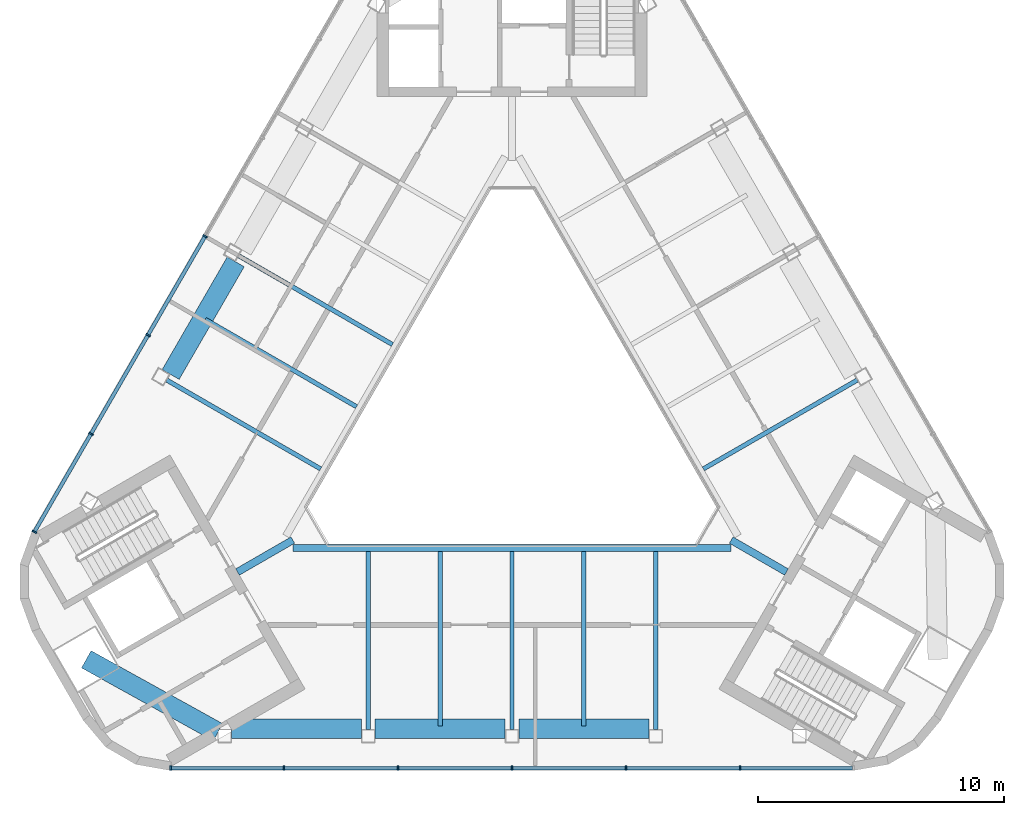
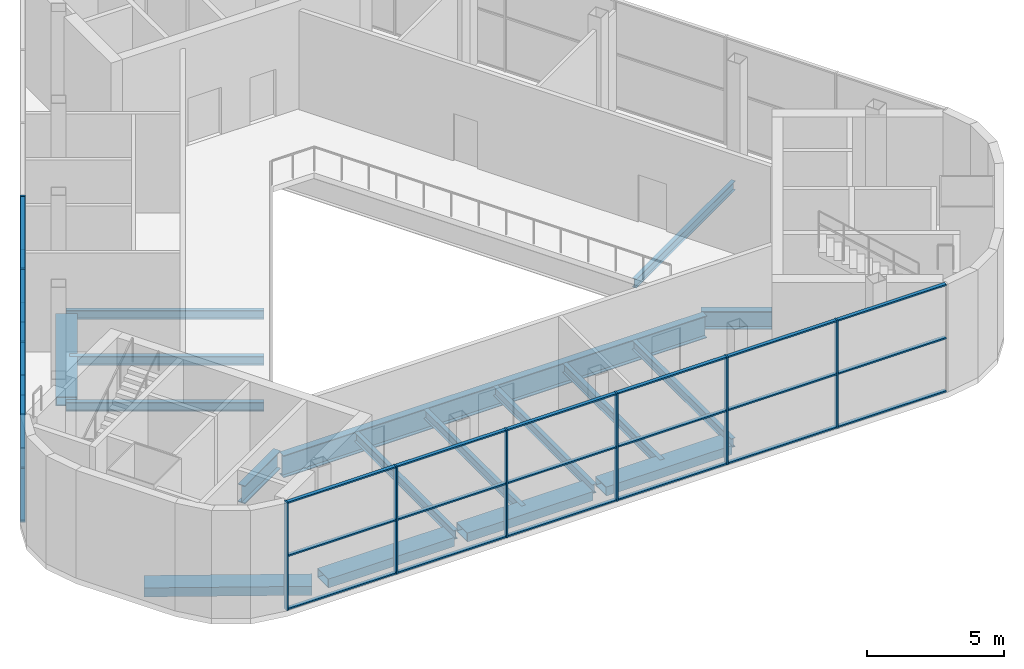
# One storey, part 2 of 11: 37 members, 17 beams, 2 elements without a shape of their own.
"""IFC4 building model written with IfcOpenShell, lengths in metres."""

from ifc_helpers import new_model, si_unit, direction, frame, origin, origin_2d, place, context, subcontext, project, spatial, rectangle, hollow_rectangle, i_section, extrude, material, layer, layer_set, material_profile, profile_set, type_object, element, aggregate, save


model = new_model("IFC4")

# Units and contexts
model_context = context("Model", 3, precision=1e-05, world=origin(), true_north=direction((0.0, 1.0)))
body_context = subcontext(model_context, "Body", "Model", "MODEL_VIEW")
ifc_project = project(units=[si_unit("LENGTHUNIT", "METRE"), si_unit("AREAUNIT", "SQUARE_METRE"), si_unit("VOLUMEUNIT", "CUBIC_METRE"), si_unit("PLANEANGLEUNIT", "RADIAN"), si_unit("MASSUNIT", "GRAM", prefix="KILO")], contexts=[model_context])

# Site, building, storey
site_placement = place(None, origin())
site = spatial("IfcSite", under=ifc_project, at=site_placement, CompositionType="ELEMENT")
building_placement = place(site_placement, origin())
building = spatial("IfcBuilding", under=site, at=building_placement, Name="Apuvela Tower Hotel", CompositionType="ELEMENT")
storey_placement = place(building_placement, frame((0.0, 0.0, 338.300048828125)))
storey = spatial("IfcBuildingStorey", under=building, at=storey_placement, Name="L84", CompositionType="ELEMENT", Elevation=338.300048828125)

# Curtain wall, members
ifc_material_1 = material(Name="Aluminium 6063-T6, dark bronze anodised", Category="aluminium")
ifc_layer = layer(ifc_material_1, 0.199951171875)
ifc_layer_set = layer_set([ifc_layer], Name="ENV-CW-L")
curtain_wall_type = type_object("IfcCurtainWallType", Name="ENV-CW-L", PredefinedType="NOTDEFINED", material=ifc_layer_set)
curtain_wall_1_placement = place(storey_placement, origin())
curtain_wall_1 = element("IfcCurtainWall", 1, at=curtain_wall_1_placement, inside=storey, type_object=curtain_wall_type, Name="Curtain wall CW-L S L84", PredefinedType="NOTDEFINED")
ifc_material_profile_1 = material_profile(ifc_material_1, rectangle(XDim=0.199951171875, YDim=0.06494140625, at=origin_2d()), Name="AL 65x200")
ifc_profile_set_1 = profile_set([ifc_material_profile_1], Name="Aluminium 6063-T6, dark bronze anodised")
member_type_1 = type_object("IfcMemberType", Name="ENV-MULLION-65x200", PredefinedType="MULLION", material=ifc_profile_set_1)
member_1_placement = place(storey_placement, frame((-13.89111328125, -14.42626953125, 0.0), z_axis=(0.0, 0.0, 1.0), x_axis=(0.0, 1.0, 0.0)))
member_1 = element("IfcMember", 2, at=member_1_placement, type_object=member_type_1, Name="CW-L mullion 1", PredefinedType="MULLION", context=body_context, shape_type="SweptSolid", body=[
    extrude(rectangle(XDim=0.199951171875, YDim=0.06494140625, at=origin_2d()), origin(), (0.0, 0.0, 1.0), 4.800048828125),
])
member_2_placement = place(storey_placement, frame((-9.282470703125, -14.42626953125, 0.0), z_axis=(0.0, 0.0, 1.0), x_axis=(0.0, 1.0, 0.0)))
member_2 = element("IfcMember", 3, at=member_2_placement, type_object=member_type_1, Name="CW-L mullion 2", PredefinedType="MULLION", context=body_context, shape_type="SweptSolid", body=[
    extrude(rectangle(XDim=0.199951171875, YDim=0.06494140625, at=origin_2d()), origin(), (0.0, 0.0, 1.0), 4.800048828125),
])
member_3_placement = place(storey_placement, frame((-4.64111328125, -14.42626953125, 0.0), z_axis=(0.0, 0.0, 1.0), x_axis=(0.0, 1.0, 0.0)))
member_3 = element("IfcMember", 4, at=member_3_placement, type_object=member_type_1, Name="CW-L mullion 3", PredefinedType="MULLION", context=body_context, shape_type="SweptSolid", body=[
    extrude(rectangle(XDim=0.199951171875, YDim=0.06494140625, at=origin_2d()), origin(), (0.0, 0.0, 1.0), 4.800048828125),
])
member_4_placement = place(storey_placement, frame((0.0, -14.42626953125, 0.0), z_axis=(0.0, 0.0, 1.0), x_axis=(0.0, 1.0, 0.0)))
member_4 = element("IfcMember", 5, at=member_4_placement, type_object=member_type_1, Name="CW-L mullion 4", PredefinedType="MULLION", context=body_context, shape_type="SweptSolid", body=[
    extrude(rectangle(XDim=0.199951171875, YDim=0.06494140625, at=origin_2d()), origin(), (0.0, 0.0, 1.0), 4.800048828125),
])
member_5_placement = place(storey_placement, frame((4.64111328125, -14.42626953125, 0.0), z_axis=(0.0, 0.0, 1.0), x_axis=(0.0, 1.0, 0.0)))
member_5 = element("IfcMember", 6, at=member_5_placement, type_object=member_type_1, Name="CW-L mullion 5", PredefinedType="MULLION", context=body_context, shape_type="SweptSolid", body=[
    extrude(rectangle(XDim=0.199951171875, YDim=0.06494140625, at=origin_2d()), origin(), (0.0, 0.0, 1.0), 4.800048828125),
])
member_6_placement = place(storey_placement, frame((9.282470703125, -14.42626953125, 0.0), z_axis=(0.0, 0.0, 1.0), x_axis=(0.0, 1.0, 0.0)))
member_6 = element("IfcMember", 7, at=member_6_placement, type_object=member_type_1, Name="CW-L mullion 6", PredefinedType="MULLION", context=body_context, shape_type="SweptSolid", body=[
    extrude(rectangle(XDim=0.199951171875, YDim=0.06494140625, at=origin_2d()), origin(), (0.0, 0.0, 1.0), 4.800048828125),
])

curtain_wall_2_placement = place(storey_placement, origin())
curtain_wall_2 = element("IfcCurtainWall", 8, at=curtain_wall_2_placement, inside=storey, type_object=curtain_wall_type, Name="Curtain wall CW-L NW L84", PredefinedType="NOTDEFINED")
member_7_placement = place(storey_placement, frame((-12.493408203125, 7.213134765625, 0.0), z_axis=(0.0, 0.0, 1.0), x_axis=(0.866025800323, -0.499999313174, 0.0)))
member_7 = element("IfcMember", 9, at=member_7_placement, type_object=member_type_1, Name="CW-L mullion 4", PredefinedType="MULLION", context=body_context, shape_type="SweptSolid", body=[
    extrude(rectangle(XDim=0.199951171875, YDim=0.06494140625, at=origin_2d()), origin(), (0.0, 0.0, 1.0), 4.800048828125),
])
member_8_placement = place(storey_placement, frame((-14.81396484375, 3.193603515625, 0.0), z_axis=(0.0, 0.0, 1.0), x_axis=(0.866025800323, -0.499999313174, 0.0)))
member_8 = element("IfcMember", 10, at=member_8_placement, type_object=member_type_1, Name="CW-L mullion 5", PredefinedType="MULLION", context=body_context, shape_type="SweptSolid", body=[
    extrude(rectangle(XDim=0.199951171875, YDim=0.06494140625, at=origin_2d()), origin(), (0.0, 0.0, 1.0), 4.800048828125),
])
member_9_placement = place(storey_placement, frame((-17.134765625, -0.82568359375, 0.0), z_axis=(0.0, 0.0, 1.0), x_axis=(0.866025800323, -0.499999313174, 0.0)))
member_9 = element("IfcMember", 11, at=member_9_placement, type_object=member_type_1, Name="CW-L mullion 6", PredefinedType="MULLION", context=body_context, shape_type="SweptSolid", body=[
    extrude(rectangle(XDim=0.199951171875, YDim=0.06494140625, at=origin_2d()), origin(), (0.0, 0.0, 1.0), 4.800048828125),
])
member_10_placement = place(storey_placement, frame((-19.43896484375, -4.817138671875, 0.0), z_axis=(0.0, 0.0, 1.0), x_axis=(0.866025800323, -0.499999313174, 0.0)))
member_10 = element("IfcMember", 12, at=member_10_placement, type_object=member_type_1, Name="CW-L mullion 7", PredefinedType="MULLION", context=body_context, shape_type="SweptSolid", body=[
    extrude(rectangle(XDim=0.199951171875, YDim=0.06494140625, at=origin_2d()), origin(), (0.0, 0.0, 1.0), 4.800048828125),
])

# Member
ifc_material_profile_2 = material_profile(ifc_material_1, rectangle(XDim=0.14990234375, YDim=0.06494140625, at=origin_2d()), Name="AL 65x150 transom")
ifc_profile_set_2 = profile_set([ifc_material_profile_2], Name="Aluminium 6063-T6, dark bronze anodised")
member_type_2 = type_object("IfcMemberType", Name="ENV-TRANSOM-65x150", PredefinedType="USERDEFINED", material=ifc_profile_set_2)
member_11_placement = place(storey_placement, frame((-13.858642578125, -14.42626953125, 0.032470703125), z_axis=(1.0, 0.0, 0.0), x_axis=(0.0, 1.0, 0.0)))
member_11 = element("IfcMember", 13, at=member_11_placement, type_object=member_type_2, Name="CW-L transom 1.1", ObjectType="TRANSOM", PredefinedType="USERDEFINED", context=body_context, shape_type="SweptSolid", body=[
    extrude(rectangle(XDim=0.14990234375, YDim=0.06494140625, at=origin_2d()), origin(), (0.0, 0.0, 1.0), 4.543701171875),
])

member_12_placement = place(storey_placement, frame((-13.858642578125, -14.42626953125, 2.39990234375), z_axis=(1.0, 0.0, 0.0), x_axis=(0.0, 1.0, 0.0)))
member_12 = element("IfcMember", 14, at=member_12_placement, type_object=member_type_2, Name="CW-L transom 1.2", ObjectType="TRANSOM", PredefinedType="USERDEFINED", context=body_context, shape_type="SweptSolid", body=[
    extrude(rectangle(XDim=0.14990234375, YDim=0.06494140625, at=origin_2d()), origin(), (0.0, 0.0, 1.0), 4.543701171875),
])

member_13_placement = place(storey_placement, frame((-13.858642578125, -14.42626953125, 4.767333984375), z_axis=(1.0, 0.0, 0.0), x_axis=(0.0, 1.0, 0.0)))
member_13 = element("IfcMember", 15, at=member_13_placement, type_object=member_type_2, Name="CW-L transom 1.3", ObjectType="TRANSOM", PredefinedType="USERDEFINED", context=body_context, shape_type="SweptSolid", body=[
    extrude(rectangle(XDim=0.14990234375, YDim=0.06494140625, at=origin_2d()), origin(), (0.0, 0.0, 1.0), 4.543701171875),
])

member_14_placement = place(storey_placement, frame((-9.25, -14.42626953125, 0.032470703125), z_axis=(1.0, 0.0, 0.0), x_axis=(0.0, 1.0, 0.0)))
member_14 = element("IfcMember", 16, at=member_14_placement, type_object=member_type_2, Name="CW-L transom 2.1", ObjectType="TRANSOM", PredefinedType="USERDEFINED", context=body_context, shape_type="SweptSolid", body=[
    extrude(rectangle(XDim=0.14990234375, YDim=0.06494140625, at=origin_2d()), origin(), (0.0, 0.0, 1.0), 4.576171875),
])

member_15_placement = place(storey_placement, frame((-9.25, -14.42626953125, 2.39990234375), z_axis=(1.0, 0.0, 0.0), x_axis=(0.0, 1.0, 0.0)))
member_15 = element("IfcMember", 17, at=member_15_placement, type_object=member_type_2, Name="CW-L transom 2.2", ObjectType="TRANSOM", PredefinedType="USERDEFINED", context=body_context, shape_type="SweptSolid", body=[
    extrude(rectangle(XDim=0.14990234375, YDim=0.06494140625, at=origin_2d()), origin(), (0.0, 0.0, 1.0), 4.576171875),
])

member_16_placement = place(storey_placement, frame((-9.25, -14.42626953125, 4.767333984375), z_axis=(1.0, 0.0, 0.0), x_axis=(0.0, 1.0, 0.0)))
member_16 = element("IfcMember", 18, at=member_16_placement, type_object=member_type_2, Name="CW-L transom 2.3", ObjectType="TRANSOM", PredefinedType="USERDEFINED", context=body_context, shape_type="SweptSolid", body=[
    extrude(rectangle(XDim=0.14990234375, YDim=0.06494140625, at=origin_2d()), origin(), (0.0, 0.0, 1.0), 4.576171875),
])

member_17_placement = place(storey_placement, frame((-4.608642578125, -14.42626953125, 0.032470703125), z_axis=(1.0, 0.0, 0.0), x_axis=(0.0, 1.0, 0.0)))
member_17 = element("IfcMember", 19, at=member_17_placement, type_object=member_type_2, Name="CW-L transom 3.1", ObjectType="TRANSOM", PredefinedType="USERDEFINED", context=body_context, shape_type="SweptSolid", body=[
    extrude(rectangle(XDim=0.14990234375, YDim=0.06494140625, at=origin_2d()), origin(), (0.0, 0.0, 1.0), 4.576171875),
])

member_18_placement = place(storey_placement, frame((-4.608642578125, -14.42626953125, 2.39990234375), z_axis=(1.0, 0.0, 0.0), x_axis=(0.0, 1.0, 0.0)))
member_18 = element("IfcMember", 20, at=member_18_placement, type_object=member_type_2, Name="CW-L transom 3.2", ObjectType="TRANSOM", PredefinedType="USERDEFINED", context=body_context, shape_type="SweptSolid", body=[
    extrude(rectangle(XDim=0.14990234375, YDim=0.06494140625, at=origin_2d()), origin(), (0.0, 0.0, 1.0), 4.576171875),
])

member_19_placement = place(storey_placement, frame((-4.608642578125, -14.42626953125, 4.767333984375), z_axis=(1.0, 0.0, 0.0), x_axis=(0.0, 1.0, 0.0)))
member_19 = element("IfcMember", 21, at=member_19_placement, type_object=member_type_2, Name="CW-L transom 3.3", ObjectType="TRANSOM", PredefinedType="USERDEFINED", context=body_context, shape_type="SweptSolid", body=[
    extrude(rectangle(XDim=0.14990234375, YDim=0.06494140625, at=origin_2d()), origin(), (0.0, 0.0, 1.0), 4.576171875),
])

member_20_placement = place(storey_placement, frame((0.032470703125, -14.42626953125, 0.032470703125), z_axis=(1.0, 0.0, 0.0), x_axis=(0.0, 1.0, 0.0)))
member_20 = element("IfcMember", 22, at=member_20_placement, type_object=member_type_2, Name="CW-L transom 4.1", ObjectType="TRANSOM", PredefinedType="USERDEFINED", context=body_context, shape_type="SweptSolid", body=[
    extrude(rectangle(XDim=0.14990234375, YDim=0.06494140625, at=origin_2d()), origin(), (0.0, 0.0, 1.0), 4.576171875),
])

member_21_placement = place(storey_placement, frame((0.032470703125, -14.42626953125, 2.39990234375), z_axis=(1.0, 0.0, 0.0), x_axis=(0.0, 1.0, 0.0)))
member_21 = element("IfcMember", 23, at=member_21_placement, type_object=member_type_2, Name="CW-L transom 4.2", ObjectType="TRANSOM", PredefinedType="USERDEFINED", context=body_context, shape_type="SweptSolid", body=[
    extrude(rectangle(XDim=0.14990234375, YDim=0.06494140625, at=origin_2d()), origin(), (0.0, 0.0, 1.0), 4.576171875),
])

member_22_placement = place(storey_placement, frame((0.032470703125, -14.42626953125, 4.767333984375), z_axis=(1.0, 0.0, 0.0), x_axis=(0.0, 1.0, 0.0)))
member_22 = element("IfcMember", 24, at=member_22_placement, type_object=member_type_2, Name="CW-L transom 4.3", ObjectType="TRANSOM", PredefinedType="USERDEFINED", context=body_context, shape_type="SweptSolid", body=[
    extrude(rectangle(XDim=0.14990234375, YDim=0.06494140625, at=origin_2d()), origin(), (0.0, 0.0, 1.0), 4.576171875),
])

member_23_placement = place(storey_placement, frame((4.673828125, -14.42626953125, 0.032470703125), z_axis=(1.0, 0.0, 0.0), x_axis=(0.0, 1.0, 0.0)))
member_23 = element("IfcMember", 25, at=member_23_placement, type_object=member_type_2, Name="CW-L transom 5.1", ObjectType="TRANSOM", PredefinedType="USERDEFINED", context=body_context, shape_type="SweptSolid", body=[
    extrude(rectangle(XDim=0.14990234375, YDim=0.06494140625, at=origin_2d()), origin(), (0.0, 0.0, 1.0), 4.576171875),
])

member_24_placement = place(storey_placement, frame((4.673828125, -14.42626953125, 2.39990234375), z_axis=(1.0, 0.0, 0.0), x_axis=(0.0, 1.0, 0.0)))
member_24 = element("IfcMember", 26, at=member_24_placement, type_object=member_type_2, Name="CW-L transom 5.2", ObjectType="TRANSOM", PredefinedType="USERDEFINED", context=body_context, shape_type="SweptSolid", body=[
    extrude(rectangle(XDim=0.14990234375, YDim=0.06494140625, at=origin_2d()), origin(), (0.0, 0.0, 1.0), 4.576171875),
])

member_25_placement = place(storey_placement, frame((4.673828125, -14.42626953125, 4.767333984375), z_axis=(1.0, 0.0, 0.0), x_axis=(0.0, 1.0, 0.0)))
member_25 = element("IfcMember", 27, at=member_25_placement, type_object=member_type_2, Name="CW-L transom 5.3", ObjectType="TRANSOM", PredefinedType="USERDEFINED", context=body_context, shape_type="SweptSolid", body=[
    extrude(rectangle(XDim=0.14990234375, YDim=0.06494140625, at=origin_2d()), origin(), (0.0, 0.0, 1.0), 4.576171875),
])

member_26_placement = place(storey_placement, frame((9.31494140625, -14.42626953125, 0.032470703125), z_axis=(1.0, 0.0, 0.0), x_axis=(0.0, 1.0, 0.0)))
member_26 = element("IfcMember", 28, at=member_26_placement, type_object=member_type_2, Name="CW-L transom 6.1", ObjectType="TRANSOM", PredefinedType="USERDEFINED", context=body_context, shape_type="SweptSolid", body=[
    extrude(rectangle(XDim=0.14990234375, YDim=0.06494140625, at=origin_2d()), origin(), (0.0, 0.0, 1.0), 4.543701171875),
])

member_27_placement = place(storey_placement, frame((9.31494140625, -14.42626953125, 2.39990234375), z_axis=(1.0, 0.0, 0.0), x_axis=(0.0, 1.0, 0.0)))
member_27 = element("IfcMember", 29, at=member_27_placement, type_object=member_type_2, Name="CW-L transom 6.2", ObjectType="TRANSOM", PredefinedType="USERDEFINED", context=body_context, shape_type="SweptSolid", body=[
    extrude(rectangle(XDim=0.14990234375, YDim=0.06494140625, at=origin_2d()), origin(), (0.0, 0.0, 1.0), 4.543701171875),
])

member_28_placement = place(storey_placement, frame((9.31494140625, -14.42626953125, 4.767333984375), z_axis=(1.0, 0.0, 0.0), x_axis=(0.0, 1.0, 0.0)))
member_28 = element("IfcMember", 30, at=member_28_placement, type_object=member_type_2, Name="CW-L transom 6.3", ObjectType="TRANSOM", PredefinedType="USERDEFINED", context=body_context, shape_type="SweptSolid", body=[
    extrude(rectangle(XDim=0.14990234375, YDim=0.06494140625, at=origin_2d()), origin(), (0.0, 0.0, 1.0), 4.543701171875),
])

aggregate(curtain_wall_1, [member_1, member_2, member_3, member_4, member_5, member_6, member_11, member_12, member_13, member_14, member_15, member_16, member_17, member_18, member_19, member_20, member_21, member_22, member_23, member_24, member_25, member_26, member_27, member_28])

member_29_placement = place(storey_placement, frame((-12.509765625, 7.18505859375, 0.032470703125), z_axis=(-0.499994921628, -0.866028335764, 0.0), x_axis=(0.866028335764, -0.499994921628, 0.0)))
member_29 = element("IfcMember", 31, at=member_29_placement, type_object=member_type_2, Name="CW-L transom 4.1", ObjectType="TRANSOM", PredefinedType="USERDEFINED", context=body_context, shape_type="SweptSolid", body=[
    extrude(rectangle(XDim=0.14990234375, YDim=0.06494140625, at=origin_2d()), origin(), (0.0, 0.0, 1.0), 4.576171875),
])

member_30_placement = place(storey_placement, frame((-12.509765625, 7.18505859375, 2.39990234375), z_axis=(-0.499994921628, -0.866028335764, 0.0), x_axis=(0.866028335764, -0.499994921628, 0.0)))
member_30 = element("IfcMember", 32, at=member_30_placement, type_object=member_type_2, Name="CW-L transom 4.2", ObjectType="TRANSOM", PredefinedType="USERDEFINED", context=body_context, shape_type="SweptSolid", body=[
    extrude(rectangle(XDim=0.14990234375, YDim=0.06494140625, at=origin_2d()), origin(), (0.0, 0.0, 1.0), 4.576171875),
])

member_31_placement = place(storey_placement, frame((-12.509765625, 7.18505859375, 4.767333984375), z_axis=(-0.499994921628, -0.866028335764, 0.0), x_axis=(0.866028335764, -0.499994921628, 0.0)))
member_31 = element("IfcMember", 33, at=member_31_placement, type_object=member_type_2, Name="CW-L transom 4.3", ObjectType="TRANSOM", PredefinedType="USERDEFINED", context=body_context, shape_type="SweptSolid", body=[
    extrude(rectangle(XDim=0.14990234375, YDim=0.06494140625, at=origin_2d()), origin(), (0.0, 0.0, 1.0), 4.576171875),
])

member_32_placement = place(storey_placement, frame((-14.830322265625, 3.16552734375, 0.032470703125), z_axis=(-0.499994921628, -0.866028335764, 0.0), x_axis=(0.866028335764, -0.499994921628, 0.0)))
member_32 = element("IfcMember", 34, at=member_32_placement, type_object=member_type_2, Name="CW-L transom 5.1", ObjectType="TRANSOM", PredefinedType="USERDEFINED", context=body_context, shape_type="SweptSolid", body=[
    extrude(rectangle(XDim=0.14990234375, YDim=0.06494140625, at=origin_2d()), origin(), (0.0, 0.0, 1.0), 4.576171875),
])

member_33_placement = place(storey_placement, frame((-14.830322265625, 3.16552734375, 2.39990234375), z_axis=(-0.499994921628, -0.866028335764, 0.0), x_axis=(0.866028335764, -0.499994921628, 0.0)))
member_33 = element("IfcMember", 35, at=member_33_placement, type_object=member_type_2, Name="CW-L transom 5.2", ObjectType="TRANSOM", PredefinedType="USERDEFINED", context=body_context, shape_type="SweptSolid", body=[
    extrude(rectangle(XDim=0.14990234375, YDim=0.06494140625, at=origin_2d()), origin(), (0.0, 0.0, 1.0), 4.576171875),
])

member_34_placement = place(storey_placement, frame((-14.830322265625, 3.16552734375, 4.767333984375), z_axis=(-0.499994921628, -0.866028335764, 0.0), x_axis=(0.866028335764, -0.499994921628, 0.0)))
member_34 = element("IfcMember", 36, at=member_34_placement, type_object=member_type_2, Name="CW-L transom 5.3", ObjectType="TRANSOM", PredefinedType="USERDEFINED", context=body_context, shape_type="SweptSolid", body=[
    extrude(rectangle(XDim=0.14990234375, YDim=0.06494140625, at=origin_2d()), origin(), (0.0, 0.0, 1.0), 4.576171875),
])

member_35_placement = place(storey_placement, frame((-17.15087890625, -0.85400390625, 0.032470703125), z_axis=(-0.500034081218, -0.86600572609, 0.0), x_axis=(0.86600572609, -0.500034081218, 0.0)))
member_35 = element("IfcMember", 37, at=member_35_placement, type_object=member_type_2, Name="CW-L transom 6.1", ObjectType="TRANSOM", PredefinedType="USERDEFINED", context=body_context, shape_type="SweptSolid", body=[
    extrude(rectangle(XDim=0.14990234375, YDim=0.06494140625, at=origin_2d()), origin(), (0.0, 0.0, 1.0), 4.543701171875),
])

member_36_placement = place(storey_placement, frame((-17.15087890625, -0.85400390625, 2.39990234375), z_axis=(-0.500034081218, -0.86600572609, 0.0), x_axis=(0.86600572609, -0.500034081218, 0.0)))
member_36 = element("IfcMember", 38, at=member_36_placement, type_object=member_type_2, Name="CW-L transom 6.2", ObjectType="TRANSOM", PredefinedType="USERDEFINED", context=body_context, shape_type="SweptSolid", body=[
    extrude(rectangle(XDim=0.14990234375, YDim=0.06494140625, at=origin_2d()), origin(), (0.0, 0.0, 1.0), 4.543701171875),
])

member_37_placement = place(storey_placement, frame((-17.15087890625, -0.85400390625, 4.767333984375), z_axis=(-0.500034081218, -0.86600572609, 0.0), x_axis=(0.86600572609, -0.500034081218, 0.0)))
member_37 = element("IfcMember", 39, at=member_37_placement, type_object=member_type_2, Name="CW-L transom 6.3", ObjectType="TRANSOM", PredefinedType="USERDEFINED", context=body_context, shape_type="SweptSolid", body=[
    extrude(rectangle(XDim=0.14990234375, YDim=0.06494140625, at=origin_2d()), origin(), (0.0, 0.0, 1.0), 4.543701171875),
])

aggregate(curtain_wall_2, [member_7, member_8, member_9, member_10, member_29, member_30, member_31, member_32, member_33, member_34, member_35, member_36, member_37])

# Beams
ifc_material_2 = material(Name="Steel S355", Category="steel")
ifc_material_profile_3 = material_profile(ifc_material_2, i_section(OverallWidth=0.179931640625, OverallDepth=0.39990234375, WebThickness=0.008544921875, FlangeThickness=0.013427734375, at=origin_2d()), Name="IPE 400")
ifc_profile_set_3 = profile_set([ifc_material_profile_3], Name="Steel S355")
beam_type_1 = type_object("IfcBeamType", Name="STR-B floor beam IPE 400", PredefinedType="BEAM", material=ifc_profile_set_3)
beam_1_placement = place(storey_placement, frame((14.052490234375, 1.36279296875, -0.449951171875), z_axis=(-0.866034347176, -0.499984509272, 0.0), x_axis=(0.499984509272, -0.866034347176, 0.0)))
element("IfcBeam", 40, at=beam_1_placement, inside=storey, type_object=beam_type_1, Name="Floor beam B2 NE3", PredefinedType="BEAM", context=body_context, shape_type="SweptSolid", body=[
    extrude(i_section(OverallWidth=0.179931640625, OverallDepth=0.39990234375, WebThickness=0.008544921875, FlangeThickness=0.013427734375, at=origin_2d()), origin(), (0.0, 0.0, 1.0), 7.231201171875),
])
beam_2_placement = place(storey_placement, frame((-11.12939453125, 6.425537109375, -0.449951171875), z_axis=(0.866025906777, -0.49999912879, 0.0), x_axis=(0.49999912879, 0.866025906777, 0.0)))
element("IfcBeam", 41, at=beam_2_placement, inside=storey, type_object=beam_type_1, Name="Floor beam B2 NW5", PredefinedType="BEAM", context=body_context, shape_type="SweptSolid", body=[
    extrude(i_section(OverallWidth=0.179931640625, OverallDepth=0.39990234375, WebThickness=0.008544921875, FlangeThickness=0.013427734375, at=origin_2d()), origin(), (0.0, 0.0, 1.0), 7.23095703125),
])
beam_3_placement = place(storey_placement, frame((-12.482666015625, 3.831787109375, -0.449951171875), z_axis=(0.866014517387, -0.50001885532, 0.0), x_axis=(0.50001885532, 0.866014517387, 0.0)))
element("IfcBeam", 42, at=beam_3_placement, inside=storey, type_object=beam_type_1, Name="Floor beam B2 NW6", PredefinedType="BEAM", context=body_context, shape_type="SweptSolid", body=[
    extrude(i_section(OverallWidth=0.179931640625, OverallDepth=0.39990234375, WebThickness=0.008544921875, FlangeThickness=0.013427734375, at=origin_2d()), origin(), (0.0, 0.0, 1.0), 7.106201171875),
])
for number, where, z_axis, x_axis, name in (
    (43, (-14.052490234375, 1.36279296875, -0.449951171875), (0.866034347176, -0.499984509272, 0.0), (0.499984509272, 0.866034347176, 0.0), "Floor beam B2 NW7"),
    (44, (-5.845947265625, -12.851318359375, -0.449951171875), (0.0, 1.0, 0.0), (-1.0, 0.0, 0.0), "Floor beam B2 S3"),
):
    element("IfcBeam", number, at=place(storey_placement, frame(where, z_axis=z_axis, x_axis=x_axis)), inside=storey, type_object=beam_type_1, Name=name, PredefinedType="BEAM", context=body_context, shape_type="SweptSolid", body=[
        extrude(i_section(OverallWidth=0.179931640625, OverallDepth=0.39990234375, WebThickness=0.008544921875, FlangeThickness=0.013427734375, at=origin_2d()), origin(), (0.0, 0.0, 1.0), 7.231201171875),
    ])
beam_4_placement = place(storey_placement, frame((-2.923095703125, -12.726318359375, -0.449951171875), z_axis=(0.0, 1.0, 0.0), x_axis=(-1.0, 0.0, 0.0)))
element("IfcBeam", 45, at=beam_4_placement, inside=storey, type_object=beam_type_1, Name="Floor beam B2 S4", PredefinedType="BEAM", context=body_context, shape_type="SweptSolid", body=[
    extrude(i_section(OverallWidth=0.179931640625, OverallDepth=0.39990234375, WebThickness=0.008544921875, FlangeThickness=0.013427734375, at=origin_2d()), origin(), (0.0, 0.0, 1.0), 7.106201171875),
])
beam_5_placement = place(storey_placement, frame((0.0, -12.851318359375, -0.449951171875), z_axis=(0.0, 1.0, 0.0), x_axis=(-1.0, 0.0, 0.0)))
element("IfcBeam", 46, at=beam_5_placement, inside=storey, type_object=beam_type_1, Name="Floor beam B2 S5", PredefinedType="BEAM", context=body_context, shape_type="SweptSolid", body=[
    extrude(i_section(OverallWidth=0.179931640625, OverallDepth=0.39990234375, WebThickness=0.008544921875, FlangeThickness=0.013427734375, at=origin_2d()), origin(), (0.0, 0.0, 1.0), 7.231201171875),
])
beam_6_placement = place(storey_placement, frame((2.923095703125, -12.726318359375, -0.449951171875), z_axis=(0.0, 1.0, 0.0), x_axis=(-1.0, 0.0, 0.0)))
element("IfcBeam", 47, at=beam_6_placement, inside=storey, type_object=beam_type_1, Name="Floor beam B2 S6", PredefinedType="BEAM", context=body_context, shape_type="SweptSolid", body=[
    extrude(i_section(OverallWidth=0.179931640625, OverallDepth=0.39990234375, WebThickness=0.008544921875, FlangeThickness=0.013427734375, at=origin_2d()), origin(), (0.0, 0.0, 1.0), 7.106201171875),
])
beam_7_placement = place(storey_placement, frame((5.845947265625, -12.851318359375, -0.449951171875), z_axis=(0.0, 1.0, 0.0), x_axis=(-1.0, 0.0, 0.0)))
element("IfcBeam", 48, at=beam_7_placement, inside=storey, type_object=beam_type_1, Name="Floor beam B2 S7", PredefinedType="BEAM", context=body_context, shape_type="SweptSolid", body=[
    extrude(i_section(OverallWidth=0.179931640625, OverallDepth=0.39990234375, WebThickness=0.008544921875, FlangeThickness=0.013427734375, at=origin_2d()), origin(), (0.0, 0.0, 1.0), 7.231201171875),
])
ifc_material_profile_4 = material_profile(ifc_material_2, i_section(OverallWidth=0.300048828125, OverallDepth=0.989990234375, WebThickness=0.0166015625, FlangeThickness=0.031005859375, at=origin_2d()), Name="HE 1000 A")
ifc_profile_set_4 = profile_set([ifc_material_profile_4], Name="Steel S355")
beam_type_2 = type_object("IfcBeamType", Name="STR-G atrium ring girder HE 1000 A", PredefinedType="BEAM", material=ifc_profile_set_4)
beam_8_placement = place(storey_placement, frame((-8.91455078125, -5.469970703125, -0.7451171875), z_axis=(1.0, 0.0, 0.0), x_axis=(0.0, 1.0, 0.0)))
element("IfcBeam", 49, at=beam_8_placement, inside=storey, type_object=beam_type_2, Name="Atrium ring girder G3 SW-SE", PredefinedType="BEAM", context=body_context, shape_type="SweptSolid", body=[
    extrude(i_section(OverallWidth=0.300048828125, OverallDepth=0.989990234375, WebThickness=0.0166015625, FlangeThickness=0.031005859375, at=origin_2d()), origin(), (0.0, 0.0, 1.0), 17.8291015625),
])
ifc_material_profile_5 = material_profile(ifc_material_2, i_section(OverallWidth=0.300048828125, OverallDepth=0.800048828125, WebThickness=0.017578125, FlangeThickness=0.032958984375, at=origin_2d()), Name="HE 800 B")
ifc_profile_set_5 = profile_set([ifc_material_profile_5], Name="Steel S355")
beam_type_3 = type_object("IfcBeamType", Name="STR-GT core tie beam HE 800 B", PredefinedType="BEAM", material=ifc_profile_set_5)
for number, where, z_axis, x_axis, name in (
    (50, (-11.171630859375, -6.449951171875, -0.650146484375), (0.865997922154, 0.500047596559, 0.0), (-0.500047596559, 0.865997922154, 0.0), "Core tie beam GT1 SW"),
    (51, (11.171630859375, -6.449951171875, -0.650146484375), (-0.865997922154, 0.500047596559, 0.0), (-0.500047596559, -0.865997922154, 0.0), "Core tie beam GT1 SE"),
):
    element("IfcBeam", number, at=place(storey_placement, frame(where, z_axis=z_axis, x_axis=x_axis)), inside=storey, type_object=beam_type_3, Name=name, PredefinedType="BEAM", context=body_context, shape_type="SweptSolid", body=[
        extrude(i_section(OverallWidth=0.300048828125, OverallDepth=0.800048828125, WebThickness=0.017578125, FlangeThickness=0.032958984375, at=origin_2d()), origin(), (0.0, 0.0, 1.0), 2.599853515625),
    ])
ifc_material_3 = material(Name="Steel S460", Category="steel")
ifc_material_profile_6 = material_profile(ifc_material_3, hollow_rectangle(XDim=0.800048828125, YDim=0.39990234375, WallThickness=0.02490234375, at=origin_2d()), Name="BOX 800x400x25")
ifc_profile_set_6 = profile_set([ifc_material_profile_6], Name="Steel S460")
beam_type_4 = type_object("IfcBeamType", Name="STR-RB perimeter ring beam BOX 800x400x25", PredefinedType="SPANDREL", material=ifc_profile_set_6)
beam_9_placement = place(storey_placement, frame((-11.4169921875, -12.826171875, -0.449951171875), z_axis=(1.0, 0.0, 0.0), x_axis=(0.0, 1.0, 0.0)))
element("IfcBeam", 52, at=beam_9_placement, inside=storey, type_object=beam_type_4, Name="Ring beam RB1 S1", PredefinedType="SPANDREL", context=body_context, shape_type="SweptSolid", body=[
    extrude(hollow_rectangle(XDim=0.800048828125, YDim=0.39990234375, WallThickness=0.02490234375, at=origin_2d()), origin(), (0.0, 0.0, 1.0), 5.2958984375),
])
for number, where, z_axis, x_axis, name in (
    (53, (-5.571044921875, -12.826171875, -0.449951171875), (1.0, 0.0, 0.0), (0.0, 1.0, 0.0), "Ring beam RB1 S2"),
    (54, (0.27490234375, -12.826171875, -0.449951171875), (1.0, 0.0, 0.0), (0.0, 1.0, 0.0), "Ring beam RB1 S3"),
):
    element("IfcBeam", number, at=place(storey_placement, frame(where, z_axis=z_axis, x_axis=x_axis)), inside=storey, type_object=beam_type_4, Name=name, PredefinedType="SPANDREL", context=body_context, shape_type="SweptSolid", body=[
        extrude(hollow_rectangle(XDim=0.800048828125, YDim=0.39990234375, WallThickness=0.02490234375, at=origin_2d()), origin(), (0.0, 0.0, 1.0), 5.296142578125),
    ])
beam_10_placement = place(storey_placement, frame((-11.245361328125, 6.1748046875, -0.449951171875), z_axis=(-0.499996467947, -0.866027443007, 0.0), x_axis=(0.866027443007, -0.499996467947, 0.0)))
element("IfcBeam", 55, at=beam_10_placement, inside=storey, type_object=beam_type_4, Name="Ring beam RB1 NW3", PredefinedType="SPANDREL", context=body_context, shape_type="SweptSolid", body=[
    extrude(hollow_rectangle(XDim=0.800048828125, YDim=0.39990234375, WallThickness=0.02490234375, at=origin_2d()), origin(), (0.0, 0.0, 1.0), 5.2958984375),
])
beam_11_placement = place(storey_placement, frame((-11.967041015625, -12.973876953125, -0.449951171875), z_axis=(-0.874613590966, 0.484820653951, 0.0), x_axis=(-0.484820653951, -0.874613590966, 0.0)))
element("IfcBeam", 56, at=beam_11_placement, inside=storey, type_object=beam_type_4, Name="Ring beam RB1 S1-SW", PredefinedType="SPANDREL", context=body_context, shape_type="SweptSolid", body=[
    extrude(hollow_rectangle(XDim=0.800048828125, YDim=0.39990234375, WallThickness=0.02490234375, at=origin_2d()), origin(), (0.0, 0.0, 1.0), 6.12744140625),
])

save(model, "model.ifc")
